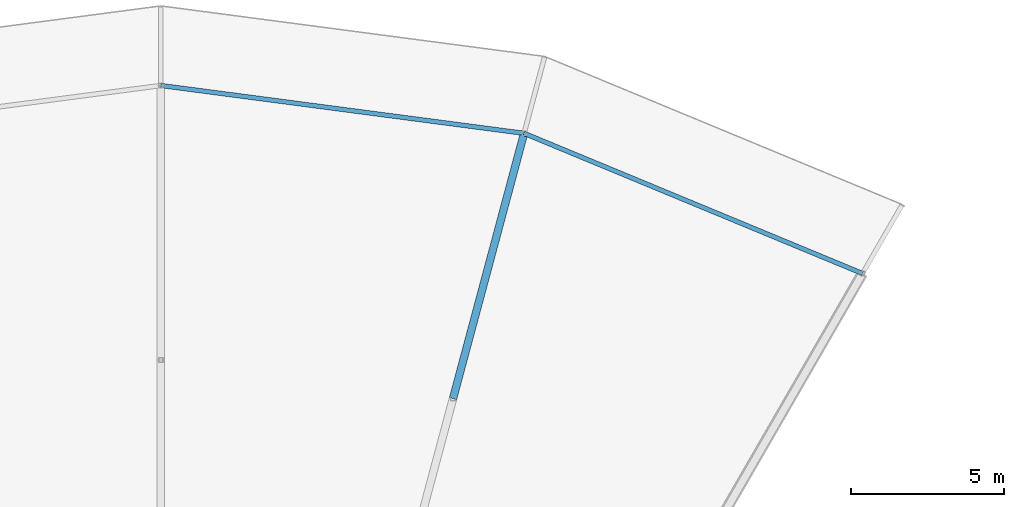
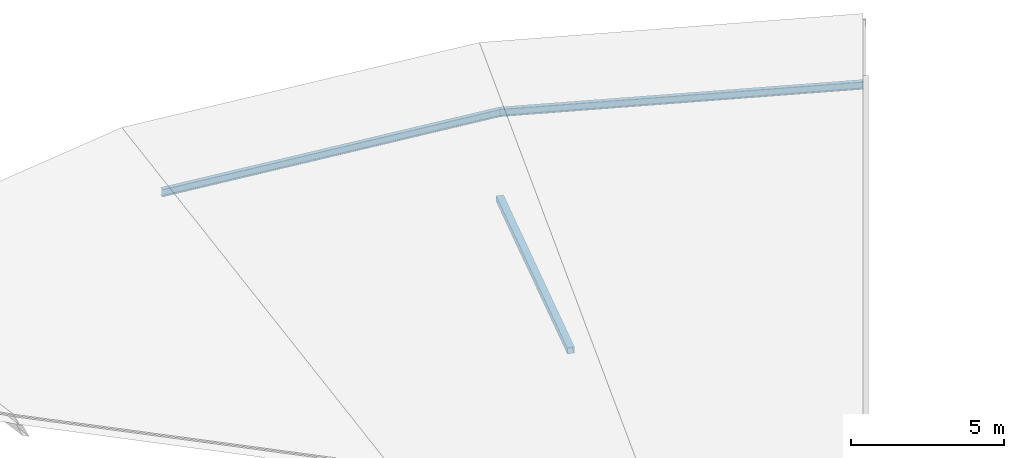
# One storey, part 26 of 70: 2 beams, 1 member.
"""IFC4 building model written with IfcOpenShell, lengths in metres."""

from ifc_helpers import new_model, si_unit, direction, frame, origin, origin_2d, place, context, subcontext, project, spatial, hollow_rectangle, i_section, extrude, material, material_profile, profile_set, type_object, element, save


model = new_model("IFC4")

# Units and contexts
model_context = context("Model", 3, precision=1e-05, world=origin(), true_north=direction((0.0, 1.0)))
body_context = subcontext(model_context, "Body", "Model", "MODEL_VIEW")
ifc_project = project(units=[si_unit("LENGTHUNIT", "METRE"), si_unit("AREAUNIT", "SQUARE_METRE"), si_unit("VOLUMEUNIT", "CUBIC_METRE"), si_unit("PLANEANGLEUNIT", "RADIAN"), si_unit("MASSUNIT", "GRAM", prefix="KILO")], contexts=[model_context])

# Site, building, storey
site_placement = place(None, origin())
site = spatial("IfcSite", under=ifc_project, at=site_placement, CompositionType="ELEMENT")
building_placement = place(site_placement, origin())
building = spatial("IfcBuilding", under=site, at=building_placement, Name="Vondelvale Polytechnic", CompositionType="ELEMENT")
storey_placement = place(building_placement, frame((0.0, 0.0, 22.199951171875)))
storey = spatial("IfcBuildingStorey", under=building, at=storey_placement, Name="L05", CompositionType="ELEMENT", Elevation=22.199951171875)

# Beams
ifc_material_1 = material(Name="Steel 300PLUS (fy = 300 MPa)", Category="steel")
ifc_material_profile_1 = material_profile(ifc_material_1, i_section(OverallWidth=0.14892578125, OverallDepth=0.298095703125, WebThickness=0.005615234375, FlangeThickness=0.008056640625, FilletRadius=0.011474609375, at=origin_2d()), Name="310UB32.0")
ifc_profile_set_1 = profile_set([ifc_material_profile_1], Name="Steel 300PLUS (fy = 300 MPa)")
beam_type = type_object("IfcBeamType", Name="BM-UB310L", PredefinedType="BEAM", material=ifc_profile_set_1)
beam_1_placement = place(storey_placement, frame((125.0, 111.837158203125, 3.11083984375), z_axis=(-0.923877323614, 0.382688765072, 0.0), x_axis=(-0.382688765072, -0.923877323614, 0.0)))
element("IfcBeam", 1, at=beam_1_placement, inside=storey, type_object=beam_type, Name="L05 RE B-25", PredefinedType="BEAM", context=body_context, shape_type="SweptSolid", body=[
    extrude(i_section(OverallWidth=0.14892578125, OverallDepth=0.298095703125, WebThickness=0.005615234375, FlangeThickness=0.008056640625, FilletRadius=0.011474609375, at=origin_2d()), origin(), (0.0, 0.0, 1.0), 12.00830078125),
])
beam_2_placement = place(storey_placement, frame((113.90576171875, 116.4326171875, 3.11083984375), z_axis=(-0.991445297315, 0.130522880875, 0.0), x_axis=(-0.130522880875, -0.991445297315, 0.0)))
element("IfcBeam", 2, at=beam_2_placement, inside=storey, type_object=beam_type, Name="L05 RE B-25", PredefinedType="BEAM", context=body_context, shape_type="SweptSolid", body=[
    extrude(i_section(OverallWidth=0.14892578125, OverallDepth=0.298095703125, WebThickness=0.005615234375, FlangeThickness=0.008056640625, FilletRadius=0.011474609375, at=origin_2d()), origin(), (0.0, 0.0, 1.0), 12.008544921875),
])

# Member
ifc_material_2 = material(Name="Steel C350L0 (fy = 350 MPa)", Category="steel")
ifc_material_profile_2 = material_profile(ifc_material_2, hollow_rectangle(XDim=0.25, YDim=0.25, WallThickness=0.009033203125, at=origin_2d()), Name="250x250x9.0SHS")
ifc_profile_set_2 = profile_set([ifc_material_profile_2], Name="Steel C350L0 (fy = 350 MPa)")
member_type = type_object("IfcMemberType", Name="ROOF TRUSS CHORD 250SHS", PredefinedType="CHORD", material=ifc_profile_set_2)
member_placement = place(storey_placement, frame((111.576416015625, 107.7392578125, -0.349853515625), z_axis=(0.25881563226, 0.965926740751, 0.0), x_axis=(-0.965926740751, 0.25881563226, 0.0)))
element("IfcMember", 3, at=member_placement, inside=storey, type_object=member_type, Name="Ring workshop truss chord 05B", PredefinedType="CHORD", context=body_context, shape_type="SweptSolid", body=[
    extrude(hollow_rectangle(XDim=0.25, YDim=0.25, WallThickness=0.009033203125, at=origin_2d()), origin(), (0.0, 0.0, 1.0), 9.0),
])

save(model, "model.ifc")
